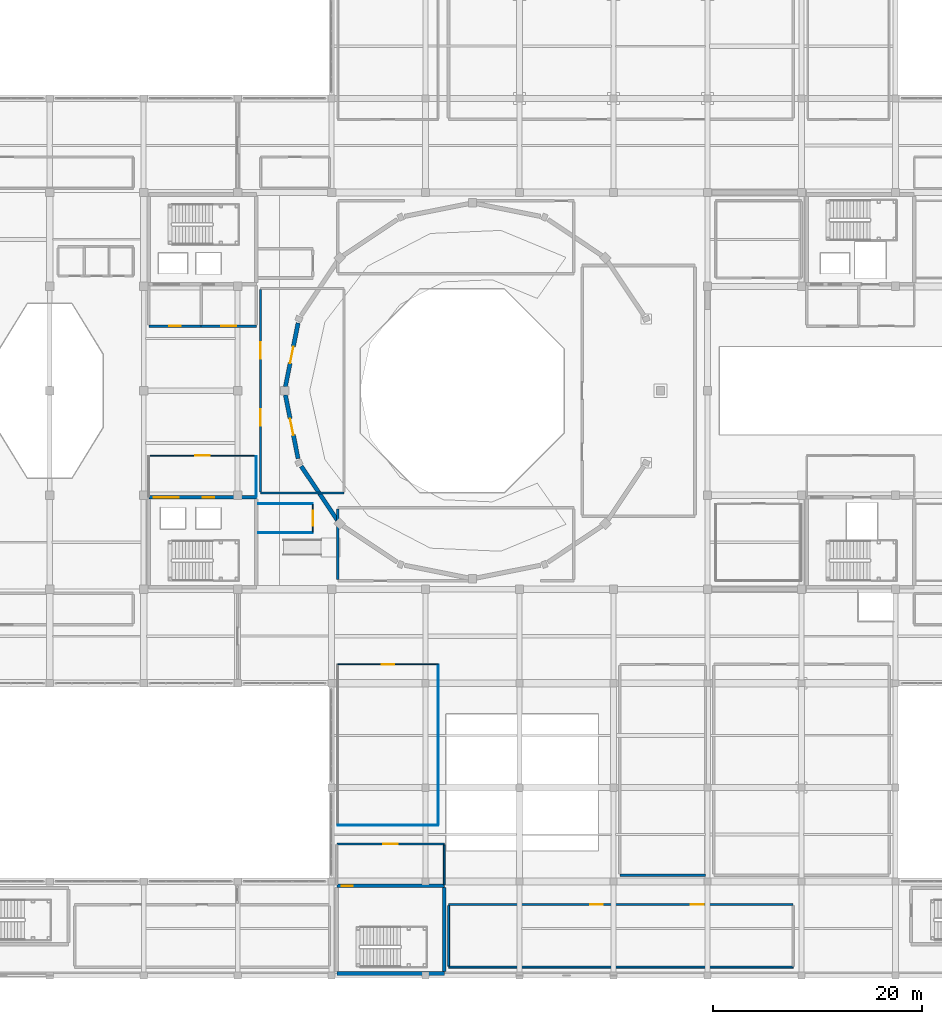
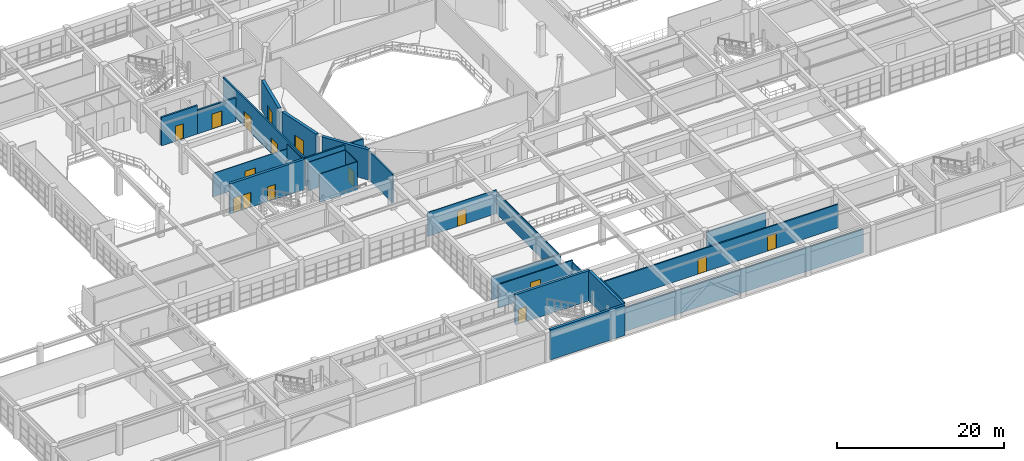
# One storey, part 108 of 133: 26 walls, 16 doors, 16 openings.
"""IFC4 building model written with IfcOpenShell, lengths in metres."""

from ifc_helpers import new_model, si_unit, direction, frame, frame_2d, origin, place, context, subcontext, project, spatial, rectangle, extrude, material, layer, layer_set, type_object, element, fill, save


model = new_model("IFC4")

# Units and contexts
model_context = context("Model", 3, precision=1e-05, world=origin(), true_north=direction((0.0, 1.0)))
body_context = subcontext(model_context, "Body", "Model", "MODEL_VIEW")
ifc_project = project(units=[si_unit("LENGTHUNIT", "METRE"), si_unit("AREAUNIT", "SQUARE_METRE"), si_unit("VOLUMEUNIT", "CUBIC_METRE"), si_unit("PLANEANGLEUNIT", "RADIAN"), si_unit("MASSUNIT", "GRAM", prefix="KILO")], contexts=[model_context])

# Site, building, storey
site_placement = place(None, origin())
site = spatial("IfcSite", under=ifc_project, at=site_placement, CompositionType="ELEMENT")
building_placement = place(site_placement, origin())
building = spatial("IfcBuilding", under=site, at=building_placement, Name="Miravela Opera House", CompositionType="ELEMENT")
storey_placement = place(building_placement, frame((0.0, 0.0, 5.10009765625)))
storey = spatial("IfcBuildingStorey", under=building, at=storey_placement, Name="L01", CompositionType="ELEMENT", Elevation=5.10009765625)

# Wall, opening, door
ifc_material_1 = material(Name="Acoustic metal-stud gypsum partition")
ifc_layer_1 = layer(ifc_material_1, 0.090087890625)
ifc_layer_set_1 = layer_set([ifc_layer_1])
wall_type_1 = type_object("IfcWallType", Name="ARC-PT-090", PredefinedType="PARTITIONING", material=ifc_layer_set_1)
wall_1_placement = place(storey_placement, frame((45.5, 49.800048828125, 0.0), z_axis=(0.0, 0.0, 1.0), x_axis=(1.0, 0.0, 0.0)))
wall_1 = element("IfcWall", 1, at=wall_1_placement, inside=storey, type_object=wall_type_1, Name="Passenger Lift Lobby K2 L01 Partition North", PredefinedType="PARTITIONING", context=body_context, shape_type="SweptSolid", body=[
    extrude(rectangle(XDim=10.300048828125, YDim=0.090087890625, at=frame_2d((5.14990234375, 0.0))), origin(), (0.0, 0.0, 1.0), 3.43994140625),
])
opening_1_placement = place(wall_1_placement, frame((4.449951171875, 0.0, 0.0)))
opening_1 = element("IfcOpeningElement", 2, at=opening_1_placement, cuts=wall_1, Name="Opening FD-03", PredefinedType="OPENING", context=body_context, shape_type="SweptSolid", body=[
    extrude(rectangle(XDim=1.39990234375, YDim=2.199951171875, at=frame_2d((0.699951171875, 1.10009765625))), frame((0.0, 0.054931640625, 0.0), z_axis=(0.0, -1.0, 0.0), x_axis=(1.0, 0.0, 0.0)), (0.0, 0.0, 1.0), 0.110107421875),
])
ifc_material_2 = material(Name="Fire-rated lobby/archive double door")
door_type_1 = type_object("IfcDoorType", Name="ARC-FD-1400X2200", OperationType="NOTDEFINED", PredefinedType="DOOR", material=ifc_material_2)
door_1_placement = place(opening_1_placement, origin())
door_1 = element("IfcDoor", 3, at=door_1_placement, inside=storey, type_object=door_type_1, Name="Passenger Lift Lobby K2 L01 Entry Door IDR-L01-0153", OperationType="DOUBLE_DOOR_SINGLE_SWING", OverallHeight=2.199951171875, OverallWidth=1.39990234375, PredefinedType="DOOR", context=body_context, shape_type="SweptSolid", body=[
    extrude(rectangle(XDim=1.39990234375, YDim=2.199951171875, at=frame_2d((0.699951171875, 1.10009765625))), frame((0.0, 0.02490234375, 0.0), z_axis=(0.0, -1.0, 0.0), x_axis=(1.0, 0.0, 0.0)), (0.0, 0.0, 1.0), 0.050048828125),
])
fill(opening_1, door_1)

# Walls
wall_2_placement = place(storey_placement, frame((55.800048828125, 45.844970703125, 0.0), z_axis=(0.0, 0.0, 1.0), x_axis=(0.0, 1.0, 0.0)))
element("IfcWall", 4, at=wall_2_placement, inside=storey, type_object=wall_type_1, Name="Passenger Lift Lobby K2 L01 Partition East", PredefinedType="PARTITIONING", context=body_context, shape_type="SweptSolid", body=[
    extrude(rectangle(XDim=3.909912109375, YDim=0.090087890625, at=frame_2d((1.955078125, 0.0))), origin(), (0.0, 0.0, 1.0), 4.159912109375),
])
for number, where, z_axis, x_axis, name in (
    (5, (55.97509765625, 42.39990234375, 0.0), (0.0, 0.0, 1.0), (1.0, 0.0, 0.0), "Auditorium Balcony Vomitory L01 South Partition South"),
    (6, (55.97509765625, 45.199951171875, 0.0), (0.0, 0.0, 1.0), (1.0, 0.0, 0.0), "Auditorium Balcony Vomitory L01 South Partition North"),
):
    element("IfcWall", number, at=place(storey_placement, frame(where, z_axis=z_axis, x_axis=x_axis)), inside=storey, type_object=wall_type_1, Name=name, PredefinedType="PARTITIONING", context=body_context, shape_type="SweptSolid", body=[
        extrude(rectangle(XDim=5.224853515625, YDim=0.090087890625, at=frame_2d((2.6123046875, 0.0))), origin(), (0.0, 0.0, 1.0), 4.159912109375),
    ])

# Wall, opening, door
wall_3_placement = place(storey_placement, frame((61.199951171875, 42.445068359375, 0.0), z_axis=(0.0, 0.0, 1.0), x_axis=(0.0, 1.0, 0.0)))
wall_3 = element("IfcWall", 7, at=wall_3_placement, inside=storey, type_object=wall_type_1, Name="Auditorium Balcony Vomitory L01 South Partition East", PredefinedType="PARTITIONING", context=body_context, shape_type="SweptSolid", body=[
    extrude(rectangle(XDim=2.7099609375, YDim=0.090087890625, at=frame_2d((1.35498046875, 0.0))), origin(), (0.0, 0.0, 1.0), 4.159912109375),
])
opening_2_placement = place(wall_3_placement, frame((0.655029296875, 0.0, 0.0)))
opening_2 = element("IfcOpeningElement", 8, at=opening_2_placement, cuts=wall_3, Name="Opening FD-03", PredefinedType="OPENING", context=body_context, shape_type="SweptSolid", body=[
    extrude(rectangle(XDim=1.39990234375, YDim=2.199951171875, at=frame_2d((0.699951171875, 1.10009765625))), frame((0.0, 0.054931640625, 0.0), z_axis=(0.0, -1.0, 0.0), x_axis=(1.0, 0.0, 0.0)), (0.0, 0.0, 1.0), 0.110107421875),
])
door_2_placement = place(opening_2_placement, frame((1.39990234375, 0.0, 0.0), z_axis=(0.0, 0.0, 1.0), x_axis=(-1.0, 0.0, 0.0)))
door_2 = element("IfcDoor", 9, at=door_2_placement, inside=storey, type_object=door_type_1, Name="Auditorium Balcony Vomitory L01 South Entry Door IDR-L01-0163", OperationType="DOUBLE_DOOR_SINGLE_SWING", OverallHeight=2.199951171875, OverallWidth=1.39990234375, PredefinedType="DOOR", context=body_context, shape_type="SweptSolid", body=[
    extrude(rectangle(XDim=1.39990234375, YDim=2.199951171875, at=frame_2d((0.699951171875, 1.10009765625))), frame((0.0, 0.02490234375, 0.0), z_axis=(0.0, -1.0, 0.0), x_axis=(1.0, 0.0, 0.0)), (0.0, 0.0, 1.0), 0.050048828125),
])
fill(opening_2, door_2)

# Wall
wall_4_placement = place(storey_placement, frame((63.60009765625, 14.39990234375, 0.0), z_axis=(0.0, 0.0, 1.0), x_axis=(1.0, 0.0, 0.0)))
element("IfcWall", 10, at=wall_4_placement, inside=storey, type_object=wall_type_1, Name="Stage Armoury and Prop Artisan Workshop Partition South", PredefinedType="PARTITIONING", context=body_context, shape_type="SweptSolid", body=[
    extrude(rectangle(XDim=9.599853515625, YDim=0.090087890625, at=frame_2d((4.7998046875, 0.0))), origin(), (0.0, 0.0, 1.0), 3.43994140625),
])

# Wall, opening, door
wall_5_placement = place(storey_placement, frame((63.60009765625, 29.800048828125, 0.0), z_axis=(0.0, 0.0, 1.0), x_axis=(1.0, 0.0, 0.0)))
wall_5 = element("IfcWall", 11, at=wall_5_placement, inside=storey, type_object=wall_type_1, Name="Stage Armoury and Prop Artisan Workshop Partition North", PredefinedType="PARTITIONING", context=body_context, shape_type="SweptSolid", body=[
    extrude(rectangle(XDim=9.599853515625, YDim=0.090087890625, at=frame_2d((4.7998046875, 0.0))), origin(), (0.0, 0.0, 1.0), 3.489990234375),
])
opening_3_placement = place(wall_5_placement, frame((4.199951171875, 0.0, 0.0)))
opening_3 = element("IfcOpeningElement", 12, at=opening_3_placement, cuts=wall_5, Name="Opening ID-04", PredefinedType="OPENING", context=body_context, shape_type="SweptSolid", body=[
    extrude(rectangle(XDim=1.199951171875, YDim=2.199951171875, at=frame_2d((0.60009765625, 1.10009765625))), frame((0.0, 0.054931640625, 0.0), z_axis=(0.0, -1.0, 0.0), x_axis=(1.0, 0.0, 0.0)), (0.0, 0.0, 1.0), 0.110107421875),
])
ifc_material_3 = material(Name="Wide acoustic ensemble door")
door_type_2 = type_object("IfcDoorType", Name="ARC-DR-1200X2200", OperationType="NOTDEFINED", PredefinedType="DOOR", material=ifc_material_3)
door_3_placement = place(opening_3_placement, origin())
door_3 = element("IfcDoor", 13, at=door_3_placement, inside=storey, type_object=door_type_2, Name="Stage Armoury and Prop Artisan Workshop Entry Door IDR-L01-0191", OperationType="SINGLE_SWING_RIGHT", OverallHeight=2.199951171875, OverallWidth=1.199951171875, PredefinedType="DOOR", context=body_context, shape_type="SweptSolid", body=[
    extrude(rectangle(XDim=1.199951171875, YDim=2.199951171875, at=frame_2d((0.60009765625, 1.10009765625))), frame((0.0, 0.02490234375, 0.0), z_axis=(0.0, -1.0, 0.0), x_axis=(1.0, 0.0, 0.0)), (0.0, 0.0, 1.0), 0.050048828125),
])
fill(opening_3, door_3)

# Wall
wall_6_placement = place(storey_placement, frame((73.199951171875, 14.445068359375, 0.0), z_axis=(0.0, 0.0, 1.0), x_axis=(0.0, 1.0, 0.0)))
element("IfcWall", 14, at=wall_6_placement, inside=storey, type_object=wall_type_1, Name="Stage Armoury and Prop Artisan Workshop Partition East", PredefinedType="PARTITIONING", context=body_context, shape_type="SweptSolid", body=[
    extrude(rectangle(XDim=15.309814453125, YDim=0.090087890625, at=frame_2d((7.65478515625, 0.0))), origin(), (0.0, 0.0, 1.0), 3.239990234375),
])

# Wall, opening, door
ifc_material_4 = material(Name="Rehearsal isolated acoustic partition")
ifc_layer_2 = layer(ifc_material_4, 0.169921875)
ifc_layer_set_2 = layer_set([ifc_layer_2])
wall_type_2 = type_object("IfcWallType", Name="ARC-PT-170", PredefinedType="PARTITIONING", material=ifc_layer_set_2)
wall_7_placement = place(storey_placement, frame((63.5, 12.60009765625, 0.0), z_axis=(0.0, 0.0, 1.0), x_axis=(1.0, 0.0, 0.0)))
wall_7 = element("IfcWall", 15, at=wall_7_placement, inside=storey, type_object=wall_type_2, Name="Passenger Lift Lobby K6 L01 Partition North", PredefinedType="PARTITIONING", context=body_context, shape_type="SweptSolid", body=[
    extrude(rectangle(XDim=10.300048828125, YDim=0.169921875, at=frame_2d((5.14990234375, 0.0))), origin(), (0.0, 0.0, 1.0), 3.43994140625),
])
opening_4_placement = place(wall_7_placement, frame((4.449951171875, 0.0, 0.0)))
opening_4 = element("IfcOpeningElement", 16, at=opening_4_placement, cuts=wall_7, Name="Opening FD-03", PredefinedType="OPENING", context=body_context, shape_type="SweptSolid", body=[
    extrude(rectangle(XDim=1.39990234375, YDim=2.199951171875, at=frame_2d((0.699951171875, 1.10009765625))), frame((0.0, 0.094970703125, 0.0), z_axis=(0.0, -1.0, 0.0), x_axis=(1.0, 0.0, 0.0)), (0.0, 0.0, 1.0), 0.18994140625),
])
door_4_placement = place(opening_4_placement, origin())
door_4 = element("IfcDoor", 17, at=door_4_placement, inside=storey, type_object=door_type_1, Name="Passenger Lift Lobby K6 L01 Entry Door IDR-L01-0158", OperationType="DOUBLE_DOOR_SINGLE_SWING", OverallHeight=2.199951171875, OverallWidth=1.39990234375, PredefinedType="DOOR", context=body_context, shape_type="SweptSolid", body=[
    extrude(rectangle(XDim=1.39990234375, YDim=2.199951171875, at=frame_2d((0.699951171875, 1.10009765625))), frame((0.0, 0.02490234375, 0.0), z_axis=(0.0, -1.0, 0.0), x_axis=(1.0, 0.0, 0.0)), (0.0, 0.0, 1.0), 0.050048828125),
])
fill(opening_4, door_4)

# Walls
wall_8_placement = place(storey_placement, frame((73.800048828125, 8.68505859375, 0.0), z_axis=(0.0, 0.0, 1.0), x_axis=(0.0, 1.0, 0.0)))
element("IfcWall", 18, at=wall_8_placement, inside=storey, type_object=wall_type_2, Name="Passenger Lift Lobby K6 L01 Partition East", PredefinedType="PARTITIONING", context=body_context, shape_type="SweptSolid", body=[
    extrude(rectangle(XDim=3.829833984375, YDim=0.169921875, at=frame_2d((1.9150390625, 0.0))), origin(), (0.0, 0.0, 1.0), 3.139892578125),
])
ifc_material_5 = material(Name="Corridor fire-resisting masonry partition", Category="masonry")
ifc_layer_3 = layer(ifc_material_5, 0.18994140625)
ifc_layer_set_3 = layer_set([ifc_layer_3])
wall_type_3 = type_object("IfcWallType", Name="ARC-PT-190", PredefinedType="PARTITIONING", material=ifc_layer_set_3)
wall_9_placement = place(storey_placement, frame((74.199951171875, 0.800048828125, 0.0), z_axis=(0.0, 0.0, 1.0), x_axis=(1.0, 0.0, 0.0)))
element("IfcWall", 19, at=wall_9_placement, inside=storey, type_object=wall_type_3, Name="Costume Millinery Dyeing Workshop Partition South", PredefinedType="PARTITIONING", context=body_context, shape_type="SweptSolid", body=[
    extrude(rectangle(XDim=33.0, YDim=0.18994140625, at=frame_2d((16.5, 0.0))), origin(), (0.0, 0.0, 1.0), 3.4599609375),
])

# Wall, openings, doors
wall_10_placement = place(storey_placement, frame((74.199951171875, 6.800048828125, 0.0), z_axis=(0.0, 0.0, 1.0), x_axis=(1.0, 0.0, 0.0)))
wall_10 = element("IfcWall", 20, at=wall_10_placement, inside=storey, type_object=wall_type_3, Name="Costume Millinery Dyeing Workshop Partition North", PredefinedType="PARTITIONING", context=body_context, shape_type="SweptSolid", body=[
    extrude(rectangle(XDim=33.0, YDim=0.18994140625, at=frame_2d((16.5, 0.0))), origin(), (0.0, 0.0, 1.0), 3.4599609375),
])
opening_5_placement = place(wall_10_placement, frame((13.577880859375, 0.0, 0.0)))
opening_5 = element("IfcOpeningElement", 21, at=opening_5_placement, cuts=wall_10, Name="Opening ID-04", PredefinedType="OPENING", context=body_context, shape_type="SweptSolid", body=[
    extrude(rectangle(XDim=1.199951171875, YDim=2.199951171875, at=frame_2d((0.60009765625, 1.10009765625))), frame((0.0, 0.10498046875, 0.0), z_axis=(0.0, -1.0, 0.0), x_axis=(1.0, 0.0, 0.0)), (0.0, 0.0, 1.0), 0.2099609375),
])
opening_6_placement = place(wall_10_placement, frame((23.219970703125, 0.0, 0.0)))
opening_6 = element("IfcOpeningElement", 22, at=opening_6_placement, cuts=wall_10, Name="Opening ID-04", PredefinedType="OPENING", context=body_context, shape_type="SweptSolid", body=[
    extrude(rectangle(XDim=1.199951171875, YDim=2.199951171875, at=frame_2d((0.60009765625, 1.10009765625))), frame((0.0, 0.10498046875, 0.0), z_axis=(0.0, -1.0, 0.0), x_axis=(1.0, 0.0, 0.0)), (0.0, 0.0, 1.0), 0.2099609375),
])
door_5_placement = place(opening_5_placement, frame((1.199951171875, 0.0, 0.0), z_axis=(0.0, 0.0, 1.0), x_axis=(-1.0, 0.0, 0.0)))
door_5 = element("IfcDoor", 23, at=door_5_placement, inside=storey, type_object=door_type_2, Name="Costume Millinery Dyeing Workshop Entry Door IDR-L01-0207", OperationType="SINGLE_SWING_LEFT", OverallHeight=2.199951171875, OverallWidth=1.199951171875, PredefinedType="DOOR", context=body_context, shape_type="SweptSolid", body=[
    extrude(rectangle(XDim=1.199951171875, YDim=2.199951171875, at=frame_2d((0.60009765625, 1.10009765625))), frame((0.0, 0.02490234375, 0.0), z_axis=(0.0, -1.0, 0.0), x_axis=(1.0, 0.0, 0.0)), (0.0, 0.0, 1.0), 0.050048828125),
])
fill(opening_5, door_5)
door_6_placement = place(opening_6_placement, frame((1.199951171875, 0.0, 0.0), z_axis=(0.0, 0.0, 1.0), x_axis=(-1.0, 0.0, 0.0)))
door_6 = element("IfcDoor", 24, at=door_6_placement, inside=storey, type_object=door_type_2, Name="Costume Millinery Dyeing Workshop Secondary Exit Door IDR-L01-0208", OperationType="SINGLE_SWING_RIGHT", OverallHeight=2.199951171875, OverallWidth=1.199951171875, PredefinedType="DOOR", context=body_context, shape_type="SweptSolid", body=[
    extrude(rectangle(XDim=1.199951171875, YDim=2.199951171875, at=frame_2d((0.60009765625, 1.10009765625))), frame((0.0, 0.02490234375, 0.0), z_axis=(0.0, -1.0, 0.0), x_axis=(1.0, 0.0, 0.0)), (0.0, 0.0, 1.0), 0.050048828125),
])
fill(opening_6, door_6)

# Walls
wall_11_placement = place(storey_placement, frame((74.199951171875, 0.89501953125, 0.0), z_axis=(0.0, 0.0, 1.0), x_axis=(0.0, 1.0, 0.0)))
element("IfcWall", 25, at=wall_11_placement, inside=storey, type_object=wall_type_3, Name="Costume Millinery Dyeing Workshop Partition West", PredefinedType="PARTITIONING", context=body_context, shape_type="SweptSolid", body=[
    extrude(rectangle(XDim=5.81005859375, YDim=0.18994140625, at=frame_2d((2.905029296875, 0.0))), origin(), (0.0, 0.0, 1.0), 4.159912109375),
])
ifc_material_6 = material(Name="High-STC auditorium lobby partition")
ifc_layer_4 = layer(ifc_material_6, 0.22998046875)
ifc_layer_set_4 = layer_set([ifc_layer_4])
wall_type_4 = type_object("IfcWallType", Name="ARC-PT-205", PredefinedType="PARTITIONING", material=ifc_layer_set_4)
wall_12_placement = place(storey_placement, frame((63.60009765625, 37.9150390625, 0.0), z_axis=(0.0, 0.0, 1.0), x_axis=(0.0, 1.0, 0.0)))
element("IfcWall", 26, at=wall_12_placement, inside=storey, type_object=wall_type_4, Name="Principal Tenor and Soprano Dressing Suites Partition West", PredefinedType="PARTITIONING", context=body_context, shape_type="SweptSolid", body=[
    extrude(rectangle(XDim=6.77001953125, YDim=0.22998046875, at=frame_2d((3.385009765625, 0.0))), origin(), (0.0, 0.0, 1.0), 4.159912109375),
])
ifc_material_7 = material(Name="Workshop fire-resisting block partition")
ifc_layer_5 = layer(ifc_material_7, 0.2099609375)
ifc_layer_set_5 = layer_set([ifc_layer_5])
wall_type_5 = type_object("IfcWallType", Name="ARC-PT-210", PredefinedType="PARTITIONING", material=ifc_layer_set_5)
wall_13_placement = place(storey_placement, frame((56.199951171875, 46.199951171875, 0.0), z_axis=(0.0, 0.0, 1.0), x_axis=(1.0, 0.0, 0.0)))
element("IfcWall", 27, at=wall_13_placement, inside=storey, type_object=wall_type_5, Name="Opera Auditorium West Box Salon Partition South", PredefinedType="PARTITIONING", context=body_context, shape_type="SweptSolid", body=[
    extrude(rectangle(XDim=8.0, YDim=0.2099609375, at=frame_2d((4.0, 0.0))), origin(), (0.0, 0.0, 1.0), 4.159912109375),
])

# Wall, openings, doors
wall_14_placement = place(storey_placement, frame((56.199951171875, 46.304931640625, 0.0), z_axis=(0.0, 0.0, 1.0), x_axis=(0.0, 1.0, 0.0)))
wall_14 = element("IfcWall", 28, at=wall_14_placement, inside=storey, type_object=wall_type_5, Name="Opera Auditorium West Box Salon Partition West", PredefinedType="PARTITIONING", context=body_context, shape_type="SweptSolid", body=[
    extrude(rectangle(XDim=19.39013671875, YDim=0.2099609375, at=frame_2d((9.695068359375, 0.0))), origin(), (0.0, 0.0, 1.0), 4.159912109375),
])
opening_7_placement = place(wall_14_placement, frame((6.3525390625, 0.0, 0.0)))
opening_7 = element("IfcOpeningElement", 29, at=opening_7_placement, cuts=wall_14, Name="Opening FD-04", PredefinedType="OPENING", context=body_context, shape_type="SweptSolid", body=[
    extrude(rectangle(XDim=1.60009765625, YDim=2.25, at=frame_2d((0.800048828125, 1.125))), frame((0.0, 0.114990234375, 0.0), z_axis=(0.0, -1.0, 0.0), x_axis=(1.0, 0.0, 0.0)), (0.0, 0.0, 1.0), 0.22998046875),
])
opening_8_placement = place(wall_14_placement, frame((12.74853515625, 0.0, 0.0)))
opening_8 = element("IfcOpeningElement", 30, at=opening_8_placement, cuts=wall_14, Name="Opening FD-04", PredefinedType="OPENING", context=body_context, shape_type="SweptSolid", body=[
    extrude(rectangle(XDim=1.60009765625, YDim=2.25, at=frame_2d((0.800048828125, 1.125))), frame((0.0, 0.114990234375, 0.0), z_axis=(0.0, -1.0, 0.0), x_axis=(1.0, 0.0, 0.0)), (0.0, 0.0, 1.0), 0.22998046875),
])
ifc_material_8 = material(Name="Fire-rated rehearsal/vomitory double door")
door_type_3 = type_object("IfcDoorType", Name="ARC-FD-1600X2250", OperationType="NOTDEFINED", PredefinedType="DOOR", material=ifc_material_8)
door_7_placement = place(opening_7_placement, frame((1.60009765625, 0.0, 0.0), z_axis=(0.0, 0.0, 1.0), x_axis=(-1.0, 0.0, 0.0)))
door_7 = element("IfcDoor", 31, at=door_7_placement, inside=storey, type_object=door_type_3, Name="Opera Auditorium West Box Salon Entry Door IDR-L01-0198", OperationType="DOUBLE_DOOR_SINGLE_SWING", OverallHeight=2.25, OverallWidth=1.60009765625, PredefinedType="DOOR", context=body_context, shape_type="SweptSolid", body=[
    extrude(rectangle(XDim=1.60009765625, YDim=2.25, at=frame_2d((0.800048828125, 1.125))), frame((0.0, 0.02490234375, 0.0), z_axis=(0.0, -1.0, 0.0), x_axis=(1.0, 0.0, 0.0)), (0.0, 0.0, 1.0), 0.050048828125),
])
fill(opening_7, door_7)
door_8_placement = place(opening_8_placement, frame((1.60009765625, 0.0, 0.0), z_axis=(0.0, 0.0, 1.0), x_axis=(-1.0, 0.0, 0.0)))
door_8 = element("IfcDoor", 32, at=door_8_placement, inside=storey, type_object=door_type_3, Name="Opera Auditorium West Box Salon Secondary Exit Door IDR-L01-0199", OperationType="DOUBLE_DOOR_SINGLE_SWING", OverallHeight=2.25, OverallWidth=1.60009765625, PredefinedType="DOOR", context=body_context, shape_type="SweptSolid", body=[
    extrude(rectangle(XDim=1.60009765625, YDim=2.25, at=frame_2d((0.800048828125, 1.125))), frame((0.0, 0.02490234375, 0.0), z_axis=(0.0, -1.0, 0.0), x_axis=(1.0, 0.0, 0.0)), (0.0, 0.0, 1.0), 0.050048828125),
])
fill(opening_8, door_8)

# Wall
wall_15_placement = place(storey_placement, frame((90.60009765625, 9.60009765625, 0.0), z_axis=(0.0, 0.0, 1.0), x_axis=(1.0, 0.0, 0.0)))
element("IfcWall", 33, at=wall_15_placement, inside=storey, type_object=wall_type_5, Name="Historical Instrument Restoration Workshop Partition South", PredefinedType="PARTITIONING", context=body_context, shape_type="SweptSolid", body=[
    extrude(rectangle(XDim=8.199951171875, YDim=0.2099609375, at=frame_2d((4.10009765625, 0.0))), origin(), (0.0, 0.0, 1.0), 3.489990234375),
])

# Wall, opening, door
ifc_material_9 = material(Name="Firefighting lobby compartment wall")
ifc_layer_6 = layer(ifc_material_9, 0.25)
ifc_layer_set_6 = layer_set([ifc_layer_6])
wall_type_6 = type_object("IfcWallType", Name="ARC-PT-220", PredefinedType="PARTITIONING", material=ifc_layer_set_6)
wall_16_placement = place(storey_placement, frame((45.5, 62.199951171875, 0.0), z_axis=(0.0, 0.0, 1.0), x_axis=(1.0, 0.0, 0.0)))
wall_16 = element("IfcWall", 34, at=wall_16_placement, inside=storey, type_object=wall_type_6, Name="Firefighting Lobby K1 L01 Partition South", PredefinedType="PARTITIONING", context=body_context, shape_type="SweptSolid", body=[
    extrude(rectangle(XDim=5.0, YDim=0.25, at=frame_2d((2.5, 0.0))), origin(), (0.0, 0.0, 1.0), 4.159912109375),
])
opening_9_placement = place(wall_16_placement, frame((1.949951171875, 0.0, 0.0)))
opening_9 = element("IfcOpeningElement", 35, at=opening_9_placement, cuts=wall_16, Name="Opening FD-01", PredefinedType="OPENING", context=body_context, shape_type="SweptSolid", body=[
    extrude(rectangle(XDim=1.10009765625, YDim=2.199951171875, at=frame_2d((0.550048828125, 1.10009765625))), frame((0.0, 0.135009765625, 0.0), z_axis=(0.0, -1.0, 0.0), x_axis=(1.0, 0.0, 0.0)), (0.0, 0.0, 1.0), 0.27001953125),
])
ifc_material_10 = material(Name="Fire-rated steel/hardwood exit stair door", Category="steel")
door_type_4 = type_object("IfcDoorType", Name="ARC-FD-1100X2200", OperationType="NOTDEFINED", PredefinedType="DOOR", material=ifc_material_10)
door_9_placement = place(opening_9_placement, frame((1.10009765625, 0.0, 0.0), z_axis=(0.0, 0.0, 1.0), x_axis=(-1.0, 0.0, 0.0)))
door_9 = element("IfcDoor", 36, at=door_9_placement, inside=storey, type_object=door_type_4, Name="Firefighting Lobby K1 L01 Entry Door IDR-L01-0151", OperationType="SINGLE_SWING_LEFT", OverallHeight=2.199951171875, OverallWidth=1.10009765625, PredefinedType="DOOR", context=body_context, shape_type="SweptSolid", body=[
    extrude(rectangle(XDim=1.10009765625, YDim=2.199951171875, at=frame_2d((0.550048828125, 1.10009765625))), frame((0.0, 0.02490234375, 0.0), z_axis=(0.0, -1.0, 0.0), x_axis=(1.0, 0.0, 0.0)), (0.0, 0.0, 1.0), 0.050048828125),
])
fill(opening_9, door_9)

wall_17_placement = place(storey_placement, frame((50.5, 62.199951171875, 0.0), z_axis=(0.0, 0.0, 1.0), x_axis=(1.0, 0.0, 0.0)))
wall_17 = element("IfcWall", 37, at=wall_17_placement, inside=storey, type_object=wall_type_6, Name="Passenger Lift Lobby K1 L01 Partition South", PredefinedType="PARTITIONING", context=body_context, shape_type="SweptSolid", body=[
    extrude(rectangle(XDim=5.300048828125, YDim=0.25, at=frame_2d((2.64990234375, 0.0))), origin(), (0.0, 0.0, 1.0), 3.4599609375),
])
opening_10_placement = place(wall_17_placement, frame((1.949951171875, 0.0, 0.0)))
opening_10 = element("IfcOpeningElement", 38, at=opening_10_placement, cuts=wall_17, Name="Opening FD-03", PredefinedType="OPENING", context=body_context, shape_type="SweptSolid", body=[
    extrude(rectangle(XDim=1.39990234375, YDim=2.199951171875, at=frame_2d((0.699951171875, 1.10009765625))), frame((0.0, 0.135009765625, 0.0), z_axis=(0.0, -1.0, 0.0), x_axis=(1.0, 0.0, 0.0)), (0.0, 0.0, 1.0), 0.27001953125),
])
door_10_placement = place(opening_10_placement, frame((1.39990234375, 0.0, 0.0), z_axis=(0.0, 0.0, 1.0), x_axis=(-1.0, 0.0, 0.0)))
door_10 = element("IfcDoor", 39, at=door_10_placement, inside=storey, type_object=door_type_1, Name="Passenger Lift Lobby K1 L01 Entry Door IDR-L01-0152", OperationType="DOUBLE_DOOR_SINGLE_SWING", OverallHeight=2.199951171875, OverallWidth=1.39990234375, PredefinedType="DOOR", context=body_context, shape_type="SweptSolid", body=[
    extrude(rectangle(XDim=1.39990234375, YDim=2.199951171875, at=frame_2d((0.699951171875, 1.10009765625))), frame((0.0, 0.02490234375, 0.0), z_axis=(0.0, -1.0, 0.0), x_axis=(1.0, 0.0, 0.0)), (0.0, 0.0, 1.0), 0.050048828125),
])
fill(opening_10, door_10)

# Wall, openings, doors
ifc_material_11 = material(Name="Concrete C40/50", Category="concrete")
ifc_layer_7 = layer(ifc_material_11, 0.35009765625)
ifc_layer_set_7 = layer_set([ifc_layer_7])
wall_type_7 = type_object("IfcWallType", Name="STR-WALL-CORE-350", PredefinedType="SHEAR", material=ifc_layer_set_7)
wall_18_placement = place(storey_placement, frame((45.5, 45.800048828125, 0.0), z_axis=(0.0, 0.0, 1.0), x_axis=(1.0, 0.0, 0.0)))
wall_18 = element("IfcWall", 40, at=wall_18_placement, inside=storey, type_object=wall_type_7, Name="Core K2 Shear Wall North (L01)", PredefinedType="SHEAR", context=body_context, shape_type="SweptSolid", body=[
    extrude(rectangle(XDim=10.300048828125, YDim=0.35009765625, at=frame_2d((5.14990234375, 0.0))), origin(), (0.0, 0.0, 1.0), 4.419921875),
])
opening_11_placement = place(wall_18_placement, frame((0.449951171875, 0.0, 0.0)))
opening_11 = element("IfcOpeningElement", 41, at=opening_11_placement, cuts=wall_18, Name="Opening FD-01", PredefinedType="OPENING", context=body_context, shape_type="SweptSolid", body=[
    extrude(rectangle(XDim=1.10009765625, YDim=2.199951171875, at=frame_2d((0.550048828125, 1.10009765625))), frame((0.0, 0.18505859375, 0.0), z_axis=(0.0, -1.0, 0.0), x_axis=(1.0, 0.0, 0.0)), (0.0, 0.0, 1.0), 0.3701171875),
])
opening_12_placement = place(wall_18_placement, frame((1.739990234375, 0.0, 0.0)))
opening_12 = element("IfcOpeningElement", 42, at=opening_12_placement, cuts=wall_18, Name="Opening LD-02", PredefinedType="OPENING", context=body_context, shape_type="SweptSolid", body=[
    extrude(rectangle(XDim=1.1201171875, YDim=2.159912109375, at=frame_2d((0.56005859375, 1.080078125))), frame((0.0, 0.18505859375, 0.0), z_axis=(0.0, -1.0, 0.0), x_axis=(1.0, 0.0, 0.0)), (0.0, 0.0, 1.0), 0.3701171875),
])
opening_13_placement = place(wall_18_placement, frame((5.139892578125, 0.0, 0.0)))
opening_13 = element("IfcOpeningElement", 43, at=opening_13_placement, cuts=wall_18, Name="Opening LD-02", PredefinedType="OPENING", context=body_context, shape_type="SweptSolid", body=[
    extrude(rectangle(XDim=1.1201171875, YDim=2.159912109375, at=frame_2d((0.56005859375, 1.080078125))), frame((0.0, 0.18505859375, 0.0), z_axis=(0.0, -1.0, 0.0), x_axis=(1.0, 0.0, 0.0)), (0.0, 0.0, 1.0), 0.3701171875),
])
door_11_placement = place(opening_11_placement, frame((1.10009765625, 0.0, 0.0), z_axis=(0.0, 0.0, 1.0), x_axis=(-1.0, 0.0, 0.0)))
door_11 = element("IfcDoor", 44, at=door_11_placement, inside=storey, type_object=door_type_4, Name="Exit Stair ST-02 Rated Door (L01) IDR-L01-0010", OperationType="SINGLE_SWING_RIGHT", OverallHeight=2.199951171875, OverallWidth=1.10009765625, PredefinedType="DOOR", context=body_context, shape_type="SweptSolid", body=[
    extrude(rectangle(XDim=1.10009765625, YDim=2.199951171875, at=frame_2d((0.550048828125, 1.10009765625))), frame((0.0, 0.02490234375, 0.0), z_axis=(0.0, -1.0, 0.0), x_axis=(1.0, 0.0, 0.0)), (0.0, 0.0, 1.0), 0.050048828125),
])
fill(opening_11, door_11)
ifc_material_12 = material(Name="Brushed stainless and bronze fire-rated lift landing door")
door_type_5 = type_object("IfcDoorType", Name="ARC-LD-PAX-1100X2150", OperationType="SLIDING_TO_LEFT", PredefinedType="DOOR", material=ifc_material_12)
door_12_placement = place(opening_12_placement, origin())
door_12 = element("IfcDoor", 45, at=door_12_placement, inside=storey, type_object=door_type_5, Name="Lift Landing Door PL-02 (L01)", OperationType="SLIDING_TO_LEFT", OverallHeight=2.159912109375, OverallWidth=1.1201171875, PredefinedType="DOOR", context=body_context, shape_type="SweptSolid", body=[
    extrude(rectangle(XDim=1.1201171875, YDim=2.159912109375, at=frame_2d((0.56005859375, 1.080078125))), frame((0.0, 0.02490234375, 0.0), z_axis=(0.0, -1.0, 0.0), x_axis=(1.0, 0.0, 0.0)), (0.0, 0.0, 1.0), 0.050048828125),
])
fill(opening_12, door_12)
door_13_placement = place(opening_13_placement, origin())
door_13 = element("IfcDoor", 46, at=door_13_placement, inside=storey, type_object=door_type_5, Name="Lift Landing Door PL-03 (L01)", OperationType="SLIDING_TO_LEFT", OverallHeight=2.159912109375, OverallWidth=1.1201171875, PredefinedType="DOOR", context=body_context, shape_type="SweptSolid", body=[
    extrude(rectangle(XDim=1.1201171875, YDim=2.159912109375, at=frame_2d((0.56005859375, 1.080078125))), frame((0.0, 0.02490234375, 0.0), z_axis=(0.0, -1.0, 0.0), x_axis=(1.0, 0.0, 0.0)), (0.0, 0.0, 1.0), 0.050048828125),
])
fill(opening_13, door_13)

# Wall
wall_19_placement = place(storey_placement, frame((63.5, 0.199951171875, 0.0), z_axis=(0.0, 0.0, 1.0), x_axis=(1.0, 0.0, 0.0)))
element("IfcWall", 47, at=wall_19_placement, inside=storey, type_object=wall_type_7, Name="Core K6 Shear Wall South (L01)", PredefinedType="SHEAR", context=body_context, shape_type="SweptSolid", body=[
    extrude(rectangle(XDim=10.300048828125, YDim=0.35009765625, at=frame_2d((5.14990234375, 0.0))), origin(), (0.0, 0.0, 1.0), 4.419921875),
])

# Wall, opening, door
wall_20_placement = place(storey_placement, frame((63.5, 8.60009765625, 0.0), z_axis=(0.0, 0.0, 1.0), x_axis=(1.0, 0.0, 0.0)))
wall_20 = element("IfcWall", 48, at=wall_20_placement, inside=storey, type_object=wall_type_7, Name="Core K6 Shear Wall North (L01)", PredefinedType="SHEAR", context=body_context, shape_type="SweptSolid", body=[
    extrude(rectangle(XDim=10.300048828125, YDim=0.35009765625, at=frame_2d((5.14990234375, 0.0))), origin(), (0.0, 0.0, 1.0), 4.419921875),
])
opening_14_placement = place(wall_20_placement, frame((0.449951171875, 0.0, 0.0)))
opening_14 = element("IfcOpeningElement", 49, at=opening_14_placement, cuts=wall_20, Name="Opening FD-01", PredefinedType="OPENING", context=body_context, shape_type="SweptSolid", body=[
    extrude(rectangle(XDim=1.10009765625, YDim=2.199951171875, at=frame_2d((0.550048828125, 1.10009765625))), frame((0.0, 0.18505859375, 0.0), z_axis=(0.0, -1.0, 0.0), x_axis=(1.0, 0.0, 0.0)), (0.0, 0.0, 1.0), 0.3701171875),
])
door_14_placement = place(opening_14_placement, frame((1.10009765625, 0.0, 0.0), z_axis=(0.0, 0.0, 1.0), x_axis=(-1.0, 0.0, 0.0)))
door_14 = element("IfcDoor", 50, at=door_14_placement, inside=storey, type_object=door_type_4, Name="Exit Stair ST-06 Rated Door (L01) IDR-L01-0038", OperationType="SINGLE_SWING_RIGHT", OverallHeight=2.199951171875, OverallWidth=1.10009765625, PredefinedType="DOOR", context=body_context, shape_type="SweptSolid", body=[
    extrude(rectangle(XDim=1.10009765625, YDim=2.199951171875, at=frame_2d((0.550048828125, 1.10009765625))), frame((0.0, 0.02490234375, 0.0), z_axis=(0.0, -1.0, 0.0), x_axis=(1.0, 0.0, 0.0)), (0.0, 0.0, 1.0), 0.050048828125),
])
fill(opening_14, door_14)

# Wall
wall_21_placement = place(storey_placement, frame((73.800048828125, 0.375, 0.0), z_axis=(0.0, 0.0, 1.0), x_axis=(0.0, 1.0, 0.0)))
element("IfcWall", 51, at=wall_21_placement, inside=storey, type_object=wall_type_7, Name="Core K6 Shear Wall East (L01)", PredefinedType="SHEAR", context=body_context, shape_type="SweptSolid", body=[
    extrude(rectangle(XDim=8.050048828125, YDim=0.35009765625, at=frame_2d((4.02490234375, 0.0))), origin(), (0.0, 0.0, 1.0), 4.419921875),
])

# Wall, opening, door
ifc_layer_8 = layer(ifc_material_11, 0.39990234375)
ifc_layer_set_8 = layer_set([ifc_layer_8])
wall_type_8 = type_object("IfcWallType", Name="STR-WALL-DRUM-400", PredefinedType="SHEAR", material=ifc_layer_set_8)
wall_22_placement = place(storey_placement, frame((59.792236328125, 62.49609375, 0.0), z_axis=(0.0, 0.0, 1.0), x_axis=(-0.195127752786, -0.980777834218, 0.0)))
wall_22 = element("IfcWall", 52, at=wall_22_placement, inside=storey, type_object=wall_type_8, Name="Auditorium Drum Shear Wall L01 Seg 8", PredefinedType="SHEAR", context=body_context, shape_type="SweptSolid", body=[
    extrude(rectangle(XDim=6.223388671875, YDim=0.39990234375, at=frame_2d((3.11181640625, 0.0))), origin(), (0.0, 0.0, 1.0), 4.419921875),
])
opening_15_placement = place(wall_22_placement, frame((2.3115234375, 0.0, 0.0)))
opening_15 = element("IfcOpeningElement", 53, at=opening_15_placement, cuts=wall_22, Name="Opening FD-04", PredefinedType="OPENING", context=body_context, shape_type="SweptSolid", body=[
    extrude(rectangle(XDim=1.60009765625, YDim=2.25, at=frame_2d((0.800048828125, 1.125))), frame((0.0, 0.2099609375, 0.0), z_axis=(0.0, -1.0, 0.0), x_axis=(1.0, 0.0, 0.0)), (0.0, 0.0, 1.0), 0.419921875),
])
door_15_placement = place(opening_15_placement, frame((1.60009765625, 0.0, 0.0), z_axis=(0.0, 0.0, 1.0), x_axis=(-1.0, 0.0, 0.0)))
door_15 = element("IfcDoor", 54, at=door_15_placement, inside=storey, type_object=door_type_3, Name="Auditorium Drum Acoustic Vestibule Door L01-S8 IDR-L01-0360", OperationType="DOUBLE_DOOR_SINGLE_SWING", OverallHeight=2.25, OverallWidth=1.60009765625, PredefinedType="DOOR", context=body_context, shape_type="SweptSolid", body=[
    extrude(rectangle(XDim=1.60009765625, YDim=2.25, at=frame_2d((0.800048828125, 1.125))), frame((0.0, 0.02490234375, 0.0), z_axis=(0.0, -1.0, 0.0), x_axis=(1.0, 0.0, 0.0)), (0.0, 0.0, 1.0), 0.050048828125),
])
fill(opening_15, door_15)

wall_23_placement = place(storey_placement, frame((58.577880859375, 55.607666015625, 0.0), z_axis=(0.0, 0.0, 1.0), x_axis=(0.195127752786, -0.980777834218, 0.0)))
wall_23 = element("IfcWall", 55, at=wall_23_placement, inside=storey, type_object=wall_type_8, Name="Auditorium Drum Shear Wall L01 Seg 9", PredefinedType="SHEAR", context=body_context, shape_type="SweptSolid", body=[
    extrude(rectangle(XDim=6.223388671875, YDim=0.39990234375, at=frame_2d((3.11181640625, 0.0))), origin(), (0.0, 0.0, 1.0), 4.419921875),
])
opening_16_placement = place(wall_23_placement, frame((2.3115234375, 0.0, 0.0)))
opening_16 = element("IfcOpeningElement", 56, at=opening_16_placement, cuts=wall_23, Name="Opening FD-04", PredefinedType="OPENING", context=body_context, shape_type="SweptSolid", body=[
    extrude(rectangle(XDim=1.60009765625, YDim=2.25, at=frame_2d((0.800048828125, 1.125))), frame((0.0, 0.2099609375, 0.0), z_axis=(0.0, -1.0, 0.0), x_axis=(1.0, 0.0, 0.0)), (0.0, 0.0, 1.0), 0.419921875),
])
door_16_placement = place(opening_16_placement, frame((1.60009765625, 0.0, 0.0), z_axis=(0.0, 0.0, 1.0), x_axis=(-1.0, 0.0, 0.0)))
door_16 = element("IfcDoor", 57, at=door_16_placement, inside=storey, type_object=door_type_3, Name="Auditorium Drum Acoustic Vestibule Door L01-S9 IDR-L01-0361", OperationType="DOUBLE_DOOR_SINGLE_SWING", OverallHeight=2.25, OverallWidth=1.60009765625, PredefinedType="DOOR", context=body_context, shape_type="SweptSolid", body=[
    extrude(rectangle(XDim=1.60009765625, YDim=2.25, at=frame_2d((0.800048828125, 1.125))), frame((0.0, 0.02490234375, 0.0), z_axis=(0.0, -1.0, 0.0), x_axis=(1.0, 0.0, 0.0)), (0.0, 0.0, 1.0), 0.050048828125),
])
fill(opening_16, door_16)

# Wall
wall_24_placement = place(storey_placement, frame((60.09228515625, 48.779052734375, 0.0), z_axis=(0.0, 0.0, 1.0), x_axis=(0.555587101324, -0.831458341015, 0.0)))
element("IfcWall", 58, at=wall_24_placement, inside=storey, type_object=wall_type_8, Name="Auditorium Drum Shear Wall L01 Seg 10", PredefinedType="SHEAR", context=body_context, shape_type="SweptSolid", body=[
    extrude(rectangle(XDim=6.22314453125, YDim=0.39990234375, at=frame_2d((3.111572265625, 0.0))), origin(), (0.0, 0.0, 1.0), 4.419921875),
])

save(model, "model.ifc")
